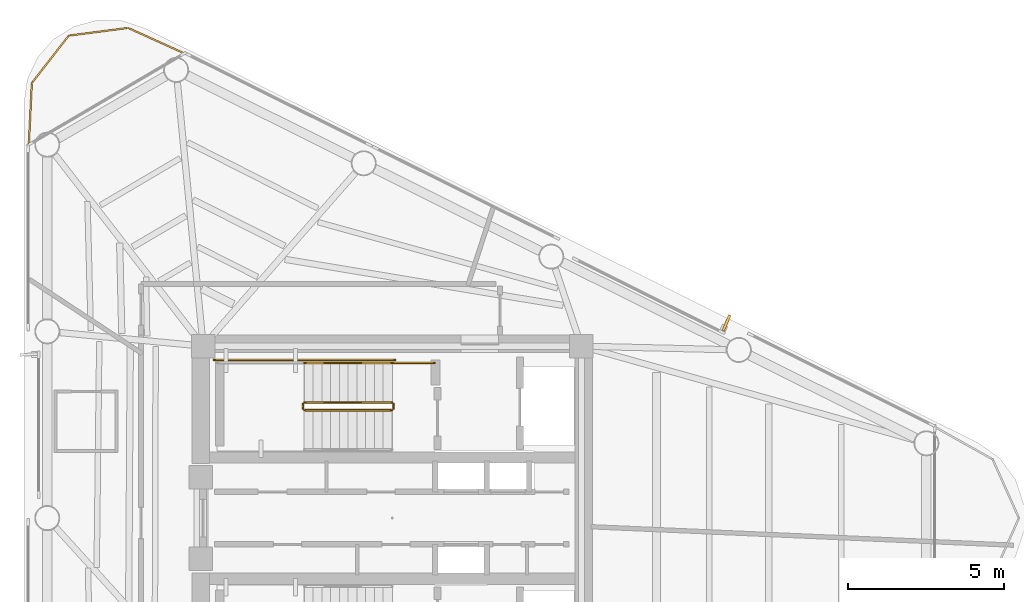
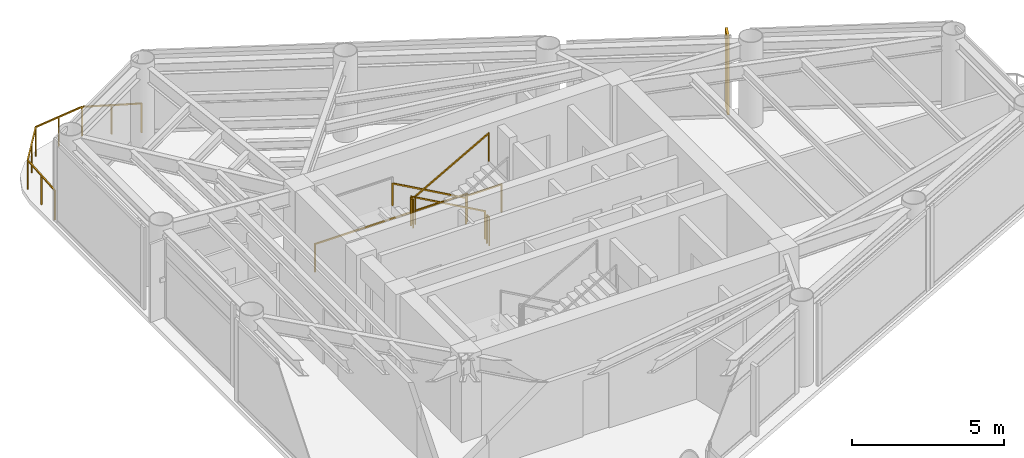
# One storey, part 10 of 10: 8 railings, 1 shading device.
"""IFC4 building model written with IfcOpenShell, lengths in metres."""

from ifc_helpers import new_model, si_unit, direction, frame, origin, origin_2d, place, context, subcontext, project, spatial, rectangle, extrude, source, transform, mapped, material, material_profile, profile_set, type_object, element, save


model = new_model("IFC4")

# Units and contexts
model_context = context("Model", 3, precision=1e-05, world=origin(), true_north=direction((0.0, 1.0)))
body_context = subcontext(model_context, "Body", "Model", "MODEL_VIEW")
ifc_project = project(units=[si_unit("LENGTHUNIT", "METRE"), si_unit("AREAUNIT", "SQUARE_METRE"), si_unit("VOLUMEUNIT", "CUBIC_METRE"), si_unit("PLANEANGLEUNIT", "RADIAN"), si_unit("MASSUNIT", "GRAM", prefix="KILO")], contexts=[model_context])

# Site, building, storey
site_placement = place(None, origin())
site = spatial("IfcSite", under=ifc_project, at=site_placement, CompositionType="ELEMENT")
building_placement = place(site_placement, origin())
building = spatial("IfcBuilding", under=site, at=building_placement, Name="Yunling Apex Tower", CompositionType="ELEMENT")
storey_placement = place(building_placement, frame((0.0, 0.0, 296.75)))
storey = spatial("IfcBuildingStorey", under=building, at=storey_placement, Name="L72", CompositionType="ELEMENT", Elevation=296.75)

# Railings
ifc_material_1 = material(Name="Bronze anodised aluminium", Category="aluminium")
railing_type_1 = type_object("IfcRailingType", Name="RL-BAL-1200", PredefinedType="BALUSTRADE", material=ifc_material_1)
railing_1_placement = place(storey_placement, frame((-11.627197265625, 11.9453125, 0.0)))
element("IfcRailing", 1, at=railing_1_placement, inside=storey, type_object=railing_type_1, Name="RL-CRNSILL-L72-2", PredefinedType="BALUSTRADE", context=body_context, shape_type="SweptSolid", body=[
    extrude(rectangle(XDim=0.0439453125, YDim=0.0439453125, at=origin_2d()), origin(), (0.0, 0.0, 1.0), 1.199951171875),
    extrude(rectangle(XDim=0.0439453125, YDim=0.0439453125, at=origin_2d()), frame((0.095947265625, 1.972412109375, 0.0)), (0.0, 0.0, 1.0), 1.199951171875),
    extrude(rectangle(XDim=0.050048828125, YDim=0.050048828125, at=origin_2d()), frame((0.001953125, 0.038330078125, 1.1748046875), z_axis=(0.048587182269, 0.998818945415, 0.0), x_axis=(-0.998818945415, 0.048587182269, 0.0)), (0.0, 0.0, 1.0), 1.898193359375),
    extrude(rectangle(XDim=0.0439453125, YDim=0.0439453125, at=origin_2d()), frame((0.0478515625, 0.986328125, 0.0)), (0.0, 0.0, 1.0), 1.14599609375),
    extrude(rectangle(XDim=0.0439453125, YDim=0.0439453125, at=origin_2d()), frame((1.27685546875, 3.48828125, 0.0)), (0.0, 0.0, 1.0), 1.199951171875),
    extrude(rectangle(XDim=0.050048828125, YDim=0.050048828125, at=origin_2d()), frame((0.119384765625, 2.002685546875, 1.1748046875), z_axis=(0.61455614591, 0.788873084548, 0.0), x_axis=(-0.788873084548, 0.61455614591, 0.0)), (0.0, 0.0, 1.0), 1.844970703125),
    extrude(rectangle(XDim=0.0439453125, YDim=0.0439453125, at=origin_2d()), frame((0.6865234375, 2.73046875, 0.0)), (0.0, 0.0, 1.0), 1.14599609375),
    extrude(rectangle(XDim=0.0439453125, YDim=0.0439453125, at=origin_2d()), frame((3.176513671875, 3.734375, 0.0)), (0.0, 0.0, 1.0), 1.199951171875),
    extrude(rectangle(XDim=0.050048828125, YDim=0.050048828125, at=origin_2d()), frame((1.31494140625, 3.4931640625, 1.1748046875), z_axis=(0.991713034877, 0.128472784881, 0.0), x_axis=(-0.128472784881, 0.991713034877, 0.0)), (0.0, 0.0, 1.0), 1.8388671875),
    extrude(rectangle(XDim=0.0439453125, YDim=0.0439453125, at=origin_2d()), frame((2.2265625, 3.611328125, 0.0)), (0.0, 0.0, 1.0), 1.14599609375),
    extrude(rectangle(XDim=0.0439453125, YDim=0.0439453125, at=origin_2d()), frame((4.97607421875, 2.919677734375, 0.0)), (0.0, 0.0, 1.0), 1.199951171875),
    extrude(rectangle(XDim=0.050048828125, YDim=0.050048828125, at=origin_2d()), frame((3.21142578125, 3.718505859375, 1.1748046875), z_axis=(0.910991856267, -0.412424341929, 0.0), x_axis=(0.412424341929, 0.910991856267, 0.0)), (0.0, 0.0, 1.0), 1.898681640625),
    extrude(rectangle(XDim=0.0439453125, YDim=0.0439453125, at=origin_2d()), frame((4.076171875, 3.3271484375, 0.0)), (0.0, 0.0, 1.0), 1.14599609375),
])
ifc_material_2 = material(Name="Steel Q355B", Category="steel")
railing_type_2 = type_object("IfcRailingType", Name="RL-GRD-1150", PredefinedType="GUARDRAIL", material=ifc_material_2)
railing_2_placement = place(storey_placement, frame((-0.010009765625, 3.699951171875, 0.15673828125)))
element("IfcRailing", 2, at=railing_2_placement, inside=storey, type_object=railing_type_2, Name="L72 ST-1 stair guard 1", PredefinedType="GUARDRAIL", context=body_context, shape_type="SweptSolid", body=[
    extrude(rectangle(XDim=0.0439453125, YDim=0.0439453125, at=origin_2d()), origin(), (0.0, 0.0, 1.0), 1.14990234375),
    extrude(rectangle(XDim=0.0439453125, YDim=0.0439453125, at=origin_2d()), frame((-2.800048828125, 0.0, 1.568359375)), (0.0, 0.0, 1.0), 1.14990234375),
    extrude(rectangle(XDim=0.050048828125, YDim=0.050048828125, at=origin_2d()), frame((-0.033447265625, 0.0, 1.1435546875), z_axis=(-0.872461907711, 0.0, 0.488682125306), x_axis=(0.0, -1.0, 0.0)), (0.0, 0.0, 1.0), 3.1328125),
])
railing_3_placement = place(storey_placement, frame((-2.860107421875, 3.64990234375, 1.72509765625)))
element("IfcRailing", 3, at=railing_3_placement, inside=storey, type_object=railing_type_2, Name="L72 ST-1 stair guard 2", PredefinedType="GUARDRAIL", context=body_context, shape_type="SweptSolid", body=[
    extrude(rectangle(XDim=0.0439453125, YDim=0.0439453125, at=origin_2d()), origin(), (0.0, 0.0, 1.0), 1.14990234375),
    extrude(rectangle(XDim=0.0439453125, YDim=0.0439453125, at=origin_2d()), frame((0.0, -0.14990234375, 0.0)), (0.0, 0.0, 1.0), 1.14990234375),
    extrude(rectangle(XDim=0.050048828125, YDim=0.050048828125, at=origin_2d()), frame((0.0, -0.038330078125, 1.125), z_axis=(0.0, -1.0, 0.0), x_axis=(1.0, 0.0, 0.0)), (0.0, 0.0, 1.0), 0.0732421875),
])
railing_4_placement = place(storey_placement, frame((-2.81005859375, 3.449951171875, 1.8818359375)))
element("IfcRailing", 4, at=railing_4_placement, inside=storey, type_object=railing_type_2, Name="L72 ST-1 stair guard 4", PredefinedType="GUARDRAIL", context=body_context, shape_type="SweptSolid", body=[
    extrude(rectangle(XDim=0.0439453125, YDim=0.0439453125, at=origin_2d()), origin(), (0.0, 0.0, 1.0), 1.14990234375),
    extrude(rectangle(XDim=0.0439453125, YDim=0.0439453125, at=origin_2d()), frame((2.800048828125, 0.0, 1.568115234375)), (0.0, 0.0, 1.0), 1.14990234375),
    extrude(rectangle(XDim=0.050048828125, YDim=0.050048828125, at=origin_2d()), frame((0.033447265625, 0.0, 1.1435546875), z_axis=(0.872494340497, 0.0, 0.48862421737), x_axis=(0.0, 1.0, 0.0)), (0.0, 0.0, 1.0), 3.132568359375),
])
railing_5_placement = place(storey_placement, frame((0.0400390625, 3.64990234375, 0.0)))
element("IfcRailing", 5, at=railing_5_placement, inside=storey, type_object=railing_type_2, Name="L72 ST-1 stair guard 5", PredefinedType="GUARDRAIL", context=body_context, shape_type="SweptSolid", body=[
    extrude(rectangle(XDim=0.0439453125, YDim=0.0439453125, at=origin_2d()), origin(), (0.0, 0.0, 1.0), 1.14990234375),
    extrude(rectangle(XDim=0.0439453125, YDim=0.0439453125, at=origin_2d()), frame((0.0, -0.14990234375, 0.0)), (0.0, 0.0, 1.0), 1.14990234375),
    extrude(rectangle(XDim=0.050048828125, YDim=0.050048828125, at=origin_2d()), frame((0.0, -0.038330078125, 1.125), z_axis=(0.0, -1.0, 0.0), x_axis=(1.0, 0.0, 0.0)), (0.0, 0.0, 1.0), 0.0732421875),
])
railing_6_placement = place(storey_placement, frame((1.35009765625, 4.9599609375, 0.0)))
element("IfcRailing", 6, at=railing_6_placement, inside=storey, type_object=railing_type_2, Name="L72 ST-1 stair guard 6", PredefinedType="GUARDRAIL", context=body_context, shape_type="SweptSolid", body=[
    extrude(rectangle(XDim=0.0439453125, YDim=0.0439453125, at=origin_2d()), origin(), (0.0, 0.0, 1.0), 1.14990234375),
    extrude(rectangle(XDim=0.0439453125, YDim=0.0439453125, at=origin_2d()), frame((-1.360107421875, 0.0, 0.0)), (0.0, 0.0, 1.0), 1.14990234375),
    extrude(rectangle(XDim=0.050048828125, YDim=0.050048828125, at=origin_2d()), frame((-0.038330078125, 0.0, 1.125), z_axis=(-1.0, 0.0, 0.0), x_axis=(0.0, -1.0, 0.0)), (0.0, 0.0, 1.0), 1.283447265625),
])
railing_7_placement = place(storey_placement, frame((0.090087890625, 5.06005859375, 0.0)))
element("IfcRailing", 7, at=railing_7_placement, inside=storey, type_object=railing_type_2, Name="L72 ST-1 stair guard 7", PredefinedType="GUARDRAIL", context=body_context, shape_type="SweptSolid", body=[
    extrude(rectangle(XDim=0.0439453125, YDim=0.0439453125, at=origin_2d()), origin(), (0.0, 0.0, 1.0), 1.14990234375),
    extrude(rectangle(XDim=0.0439453125, YDim=0.0439453125, at=origin_2d()), frame((-5.7900390625, 0.0, 0.0)), (0.0, 0.0, 1.0), 1.14990234375),
    extrude(rectangle(XDim=0.050048828125, YDim=0.050048828125, at=origin_2d()), frame((-0.038330078125, 0.0, 1.125), z_axis=(-1.0, 0.0, 0.0), x_axis=(0.0, -1.0, 0.0)), (0.0, 0.0, 1.0), 5.71337890625),
])
ifc_material_3 = material(Name="Silver anodised aluminium", Category="aluminium")
railing_type_3 = type_object("IfcRailingType", Name="RL-HND-900", PredefinedType="HANDRAIL", material=ifc_material_3)
railing_8_placement = place(storey_placement, frame((-0.010009765625, 4.9599609375, 0.15673828125)))
element("IfcRailing", 8, at=railing_8_placement, inside=storey, type_object=railing_type_3, Name="L72 ST-1 stair handrail 1", PredefinedType="HANDRAIL", context=body_context, shape_type="SweptSolid", body=[
    extrude(rectangle(XDim=0.0439453125, YDim=0.0439453125, at=origin_2d()), origin(), (0.0, 0.0, 1.0), 0.919921875),
    extrude(rectangle(XDim=0.0439453125, YDim=0.0439453125, at=origin_2d()), frame((-2.800048828125, 0.0, 1.568359375)), (0.0, 0.0, 1.0), 0.919921875),
    extrude(rectangle(XDim=0.050048828125, YDim=0.050048828125, at=origin_2d()), frame((-0.033447265625, 0.0, 0.91357421875), z_axis=(-0.872461907711, 0.0, 0.488682125306), x_axis=(0.0, -1.0, 0.0)), (0.0, 0.0, 1.0), 3.1328125),
])

# Shading device
ifc_material_profile = material_profile(ifc_material_1, rectangle(XDim=0.0849609375, YDim=0.550048828125, at=origin_2d()))
ifc_profile_set = profile_set([ifc_material_profile], Name="Bronze anodised aluminium")
shading_device_type = type_object("IfcShadingDeviceType", Name="FN-BRZ-3", PredefinedType="USERDEFINED", material=ifc_profile_set)
shared_shape = source(origin(), body_context, "Body", "SweptSolid", [
    extrude(rectangle(XDim=0.0849609375, YDim=0.550048828125, at=origin_2d()), origin(), (0.0, 0.0, 1.0), 3.14990234375),
])
shading_device_placement = place(storey_placement, frame((10.689208984375, 6.240234375, 0.06005859375), z_axis=(0.0, 0.0, 1.0), x_axis=(-0.922470722095, 0.386067049717, 0.0)))
element("IfcShadingDevice", 9, at=shading_device_placement, inside=storey, type_object=shading_device_type, Name="CW-L72-F2-B2-FIN-01", ObjectType="FIN", PredefinedType="USERDEFINED", context=body_context, shape_type="MappedRepresentation", body=[
    mapped(shared_shape, transform((0.0, 0.0, 0.0), scale=1.0)),
])

save(model, "model.ifc")
